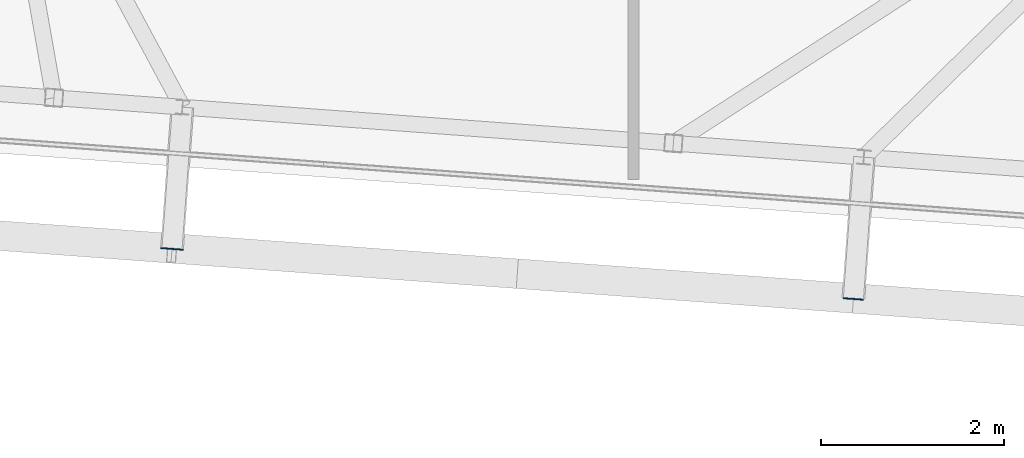
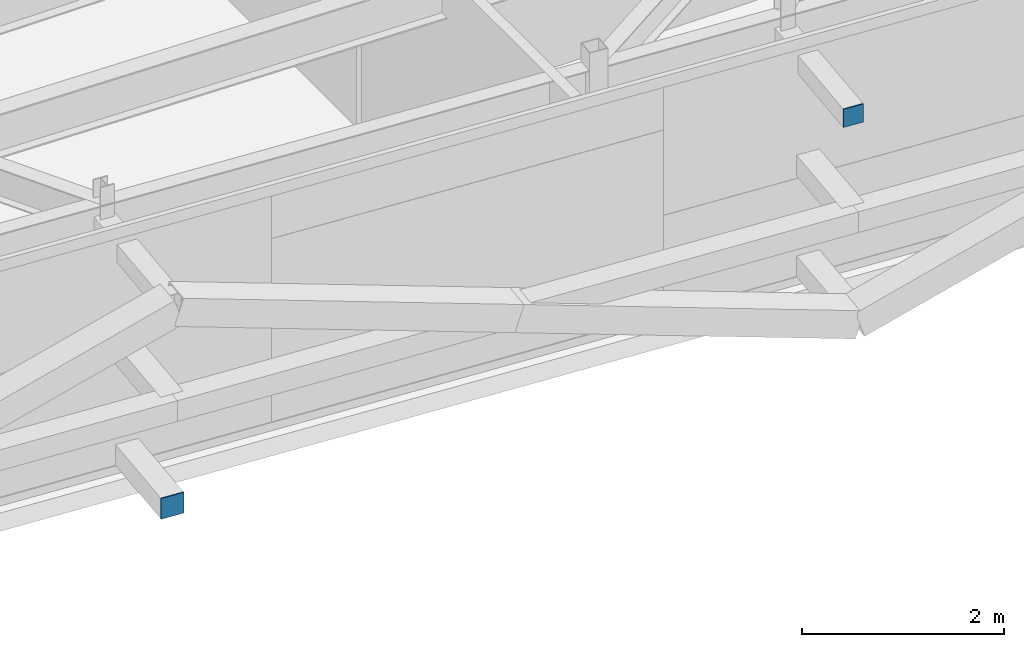
# One storey, part 25 of 34: 2 plates.
"""IFC4 building model written with IfcOpenShell, lengths in metres."""

from ifc_helpers import new_model, si_unit, direction, frame, origin, origin_2d, place, context, subcontext, project, spatial, rectangle, extrude, source, transform, mapped, material, layer, layer_set, type_object, element, save


model = new_model("IFC4")

# Units and contexts
model_context = context("Model", 3, precision=1e-05, world=origin(), true_north=direction((0.0, 1.0)))
body_context = subcontext(model_context, "Body", "Model", "MODEL_VIEW")
ifc_project = project(units=[si_unit("LENGTHUNIT", "METRE"), si_unit("AREAUNIT", "SQUARE_METRE"), si_unit("VOLUMEUNIT", "CUBIC_METRE"), si_unit("PLANEANGLEUNIT", "RADIAN"), si_unit("MASSUNIT", "GRAM", prefix="KILO")], contexts=[model_context])

# Site, building, storey
site_placement = place(None, origin())
site = spatial("IfcSite", under=ifc_project, at=site_placement, CompositionType="ELEMENT")
building_placement = place(site_placement, origin())
building = spatial("IfcBuilding", under=site, at=building_placement, Name="Taldren Reach Tower", CompositionType="ELEMENT")
storey_placement = place(building_placement, frame((0.0, 0.0, 246.050048828125)))
storey = spatial("IfcBuildingStorey", under=building, at=storey_placement, Name="L75", CompositionType="ELEMENT", Elevation=246.050048828125)

# Plates
ifc_material_1 = material(Name="Steel Gr 350 (C350L0)", Category="steel")
ifc_layer_1 = layer(ifc_material_1, 0.011962890625)
ifc_layer_set_1 = layer_set([ifc_layer_1], Name="Steel Gr 350 (C350L0)")
plate_type_1 = type_object("IfcPlateType", Name="PL-CAP-250", PredefinedType="SHEET", material=ifc_layer_set_1)
shared_shape_1 = source(origin(), body_context, "Body", "SweptSolid", [
    extrude(rectangle(XDim=0.25, YDim=0.011962890625, at=origin_2d()), origin(), (0.0, 0.0, 1.0), 0.25),
])
plate_1_placement = place(storey_placement, frame((29.946533203125, 3.812744140625, 0.094970703125), z_axis=(0.0, 0.0, 1.0), x_axis=(0.997314477224, -0.073238197128, 0.0)))
element("IfcPlate", 1, at=plate_1_placement, inside=storey, type_object=plate_type_1, Name="Tie strut end cap plate B5-S3 L75", PredefinedType="SHEET", context=body_context, shape_type="MappedRepresentation", body=[
    mapped(shared_shape_1, transform((0.0, 0.0, 0.0), scale=1.0)),
])
ifc_material_2 = material(Name="Steel Gr 450 (C450L0)", Category="steel")
ifc_layer_2 = layer(ifc_material_2, 0.011962890625)
ifc_layer_set_2 = layer_set([ifc_layer_2], Name="Steel Gr 450 (C450L0)")
plate_type_2 = type_object("IfcPlateType", Name="PL-CAP-220", PredefinedType="SHEET", material=ifc_layer_set_2)
shared_shape_2 = source(origin(), body_context, "Body", "SweptSolid", [
    extrude(rectangle(XDim=0.219970703125, YDim=0.011962890625, at=origin_2d()), origin(), (0.0, 0.0, 1.0), 0.219970703125),
])
plate_2_placement = place(storey_placement, frame((37.406494140625, 3.264892578125, 2.5400390625), z_axis=(0.0, 0.0, 1.0), x_axis=(0.997314477224, -0.073238197128, 0.0)))
element("IfcPlate", 2, at=plate_2_placement, inside=storey, type_object=plate_type_2, Name="Tie strut end cap plate B5-S4 L75", PredefinedType="SHEET", context=body_context, shape_type="MappedRepresentation", body=[
    mapped(shared_shape_2, transform((0.0, 0.0, 0.0), scale=1.0)),
])

save(model, "model.ifc")
